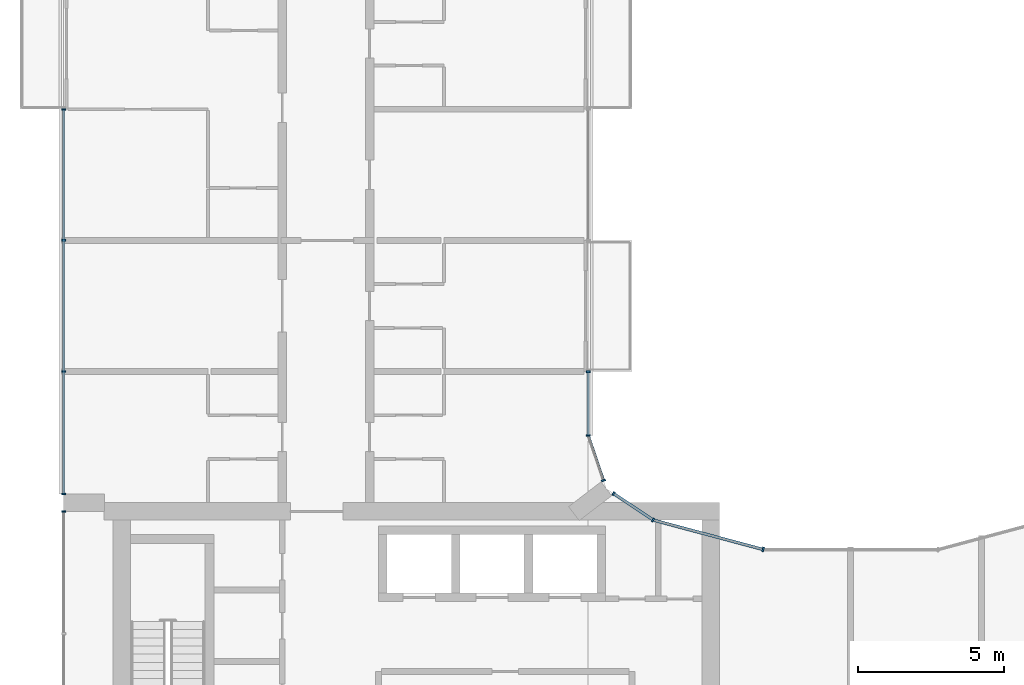
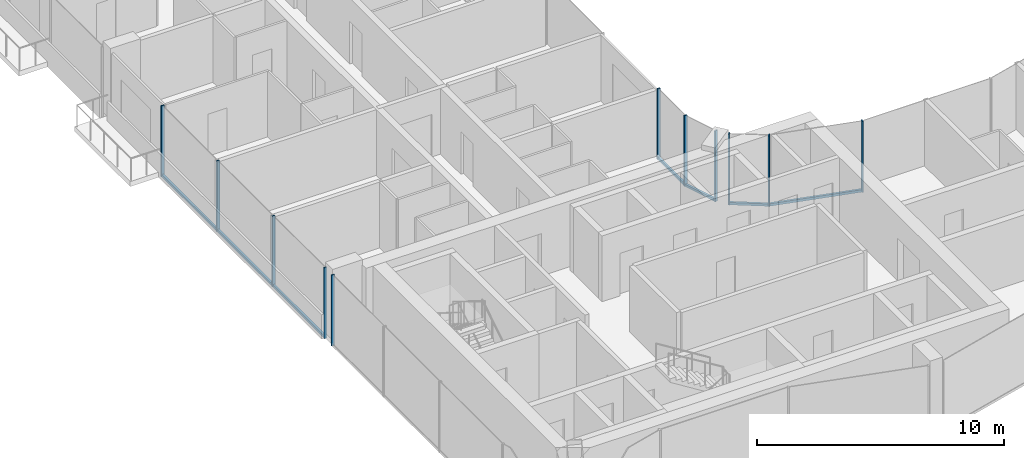
# One storey, part 4 of 15: 16 members, 6 elements without a shape of their own.
"""IFC4 building model written with IfcOpenShell, lengths in metres."""

from ifc_helpers import new_model, si_unit, direction, frame, origin, origin_2d, place, context, subcontext, project, spatial, rectangle, extrude, material, layer, layer_set, material_profile, profile_set, type_object, element, aggregate, save


model = new_model("IFC4")

# Units and contexts
model_context = context("Model", 3, precision=1e-05, world=origin(), true_north=direction((0.0, 1.0)))
body_context = subcontext(model_context, "Body", "Model", "MODEL_VIEW")
ifc_project = project(units=[si_unit("LENGTHUNIT", "METRE"), si_unit("AREAUNIT", "SQUARE_METRE"), si_unit("VOLUMEUNIT", "CUBIC_METRE"), si_unit("PLANEANGLEUNIT", "RADIAN"), si_unit("MASSUNIT", "GRAM", prefix="KILO")], contexts=[model_context])

# Site, building, storey
site_placement = place(None, origin())
site = spatial("IfcSite", under=ifc_project, at=site_placement, CompositionType="ELEMENT")
building_placement = place(site_placement, origin())
building = spatial("IfcBuilding", under=site, at=building_placement, Name="Plateau Cross Towers", CompositionType="ELEMENT")
storey_placement = place(building_placement, frame((0.0, 0.0, 174.39990234375)))
storey = spatial("IfcBuildingStorey", under=building, at=storey_placement, Name="L45", CompositionType="ELEMENT", Elevation=174.39990234375)

# Curtain wall, members
ifc_material_1 = material(Name="Dark low-iron glass", Category="glass")
ifc_layer_1 = layer(ifc_material_1, 0.239990234375)
ifc_layer_set_1 = layer_set([ifc_layer_1], Name="Dark low-iron glass")
curtain_wall_type_1 = type_object("IfcCurtainWallType", Name="Curtain wall flush unitised CW-B", PredefinedType="NOTDEFINED", material=ifc_layer_set_1)
curtain_wall_1_placement = place(storey_placement, origin())
curtain_wall_1 = element("IfcCurtainWall", 1, at=curtain_wall_1_placement, inside=storey, type_object=curtain_wall_type_1, Name="ENV/A/L45/A202_174", PredefinedType="NOTDEFINED")
ifc_material_2 = material(Name="Black anodised aluminium", Category="aluminium")
ifc_material_profile_1 = material_profile(ifc_material_2, rectangle(XDim=0.06005859375, YDim=0.139892578125, at=origin_2d()), Name="MULLION 60x140")
ifc_profile_set_1 = profile_set([ifc_material_profile_1], Name="Black anodised aluminium")
member_type_1 = type_object("IfcMemberType", Name="Mullion 60x140 flush unitised", PredefinedType="MULLION", material=ifc_profile_set_1)
member_1_placement = place(storey_placement, frame((20.223876953125, 17.404296875, -0.25), z_axis=(0.0, 0.0, 1.0), x_axis=(-0.831521253329, 0.555492938984, 0.0)))
member_1 = element("IfcMember", 2, at=member_1_placement, type_object=member_type_1, Name="CW-B mullion 1", PredefinedType="MULLION", context=body_context, shape_type="SweptSolid", body=[
    extrude(rectangle(XDim=0.06005859375, YDim=0.139892578125, at=origin_2d()), origin(), (0.0, 0.0, 1.0), 3.5),
])
member_2_placement = place(storey_placement, frame((18.86962890625, 18.30908203125, -0.25), z_axis=(0.0, 0.0, 1.0), x_axis=(-0.831521253329, 0.555492938984, 0.0)))
member_2 = element("IfcMember", 3, at=member_2_placement, type_object=member_type_1, Name="CW-B mullion 2", PredefinedType="MULLION", context=body_context, shape_type="SweptSolid", body=[
    extrude(rectangle(XDim=0.06005859375, YDim=0.139892578125, at=origin_2d()), origin(), (0.0, 0.0, 1.0), 3.5),
])

# Curtain wall, member
curtain_wall_2_placement = place(storey_placement, origin())
curtain_wall_2 = element("IfcCurtainWall", 4, at=curtain_wall_2_placement, inside=storey, type_object=curtain_wall_type_1, Name="ENV/A/L45/A185_188", PredefinedType="NOTDEFINED")
member_3_placement = place(storey_placement, frame((18.523681640625, 18.760009765625, -0.25), z_axis=(0.0, 0.0, 1.0), x_axis=(-0.321469161574, 0.94692004845, 0.0)))
member_3 = element("IfcMember", 5, at=member_3_placement, type_object=member_type_1, Name="CW-B mullion 1", PredefinedType="MULLION", context=body_context, shape_type="SweptSolid", body=[
    extrude(rectangle(XDim=0.06005859375, YDim=0.139892578125, at=origin_2d()), origin(), (0.0, 0.0, 1.0), 3.5),
])

# Curtain wall, members
curtain_wall_3_placement = place(storey_placement, origin())
curtain_wall_3 = element("IfcCurtainWall", 6, at=curtain_wall_3_placement, inside=storey, type_object=curtain_wall_type_1, Name="ENV/A/L45/A180_203", PredefinedType="NOTDEFINED")
member_4_placement = place(storey_placement, frame((18.0, 20.30224609375, -0.25), z_axis=(0.0, 0.0, 1.0), x_axis=(0.0, 1.0, 0.0)))
member_4 = element("IfcMember", 7, at=member_4_placement, type_object=member_type_1, Name="CW-B mullion 1", PredefinedType="MULLION", context=body_context, shape_type="SweptSolid", body=[
    extrude(rectangle(XDim=0.06005859375, YDim=0.139892578125, at=origin_2d()), origin(), (0.0, 0.0, 1.0), 3.5),
])
member_5_placement = place(storey_placement, frame((18.0, 22.489990234375, -0.25), z_axis=(0.0, 0.0, 1.0), x_axis=(0.0, 1.0, 0.0)))
member_5 = element("IfcMember", 8, at=member_5_placement, type_object=member_type_1, Name="CW-B mullion 2", PredefinedType="MULLION", context=body_context, shape_type="SweptSolid", body=[
    extrude(rectangle(XDim=0.06005859375, YDim=0.139892578125, at=origin_2d()), origin(), (0.0, 0.0, 1.0), 3.5),
])

curtain_wall_4_placement = place(storey_placement, origin())
curtain_wall_4 = element("IfcCurtainWall", 9, at=curtain_wall_4_placement, inside=storey, type_object=curtain_wall_type_1, Name="ENV/A/L45/A0_315", PredefinedType="NOTDEFINED")
member_6_placement = place(storey_placement, frame((0.0, 31.489990234375, -0.25), z_axis=(0.0, 0.0, 1.0), x_axis=(0.0, -1.0, 0.0)))
member_6 = element("IfcMember", 10, at=member_6_placement, type_object=member_type_1, Name="CW-B mullion 1", PredefinedType="MULLION", context=body_context, shape_type="SweptSolid", body=[
    extrude(rectangle(XDim=0.06005859375, YDim=0.139892578125, at=origin_2d()), origin(), (0.0, 0.0, 1.0), 3.5),
])
member_7_placement = place(storey_placement, frame((0.0, 27.0, -0.25), z_axis=(0.0, 0.0, 1.0), x_axis=(0.0, -1.0, 0.0)))
member_7 = element("IfcMember", 11, at=member_7_placement, type_object=member_type_1, Name="CW-B mullion 2", PredefinedType="MULLION", context=body_context, shape_type="SweptSolid", body=[
    extrude(rectangle(XDim=0.06005859375, YDim=0.139892578125, at=origin_2d()), origin(), (0.0, 0.0, 1.0), 3.5),
])
member_8_placement = place(storey_placement, frame((0.0, 22.5, -0.25), z_axis=(0.0, 0.0, 1.0), x_axis=(0.0, -1.0, 0.0)))
member_8 = element("IfcMember", 12, at=member_8_placement, type_object=member_type_1, Name="CW-B mullion 3", PredefinedType="MULLION", context=body_context, shape_type="SweptSolid", body=[
    extrude(rectangle(XDim=0.06005859375, YDim=0.139892578125, at=origin_2d()), origin(), (0.0, 0.0, 1.0), 3.5),
])
member_9_placement = place(storey_placement, frame((0.0, 18.300048828125, -0.25), z_axis=(0.0, 0.0, 1.0), x_axis=(0.0, -1.0, 0.0)))
member_9 = element("IfcMember", 13, at=member_9_placement, type_object=member_type_1, Name="CW-B mullion 4", PredefinedType="MULLION", context=body_context, shape_type="SweptSolid", body=[
    extrude(rectangle(XDim=0.06005859375, YDim=0.139892578125, at=origin_2d()), origin(), (0.0, 0.0, 1.0), 3.5),
])

# Curtain wall, member
curtain_wall_5_placement = place(storey_placement, origin())
curtain_wall_5 = element("IfcCurtainWall", 14, at=curtain_wall_5_placement, inside=storey, type_object=curtain_wall_type_1, Name="ENV/A/L45/A0_177", PredefinedType="NOTDEFINED")
member_10_placement = place(storey_placement, frame((0.0, 17.699951171875, -0.25), z_axis=(0.0, 0.0, 1.0), x_axis=(0.0, -1.0, 0.0)))
member_10 = element("IfcMember", 15, at=member_10_placement, type_object=member_type_1, Name="CW-B mullion 1", PredefinedType="MULLION", context=body_context, shape_type="SweptSolid", body=[
    extrude(rectangle(XDim=0.06005859375, YDim=0.139892578125, at=origin_2d()), origin(), (0.0, 0.0, 1.0), 3.5),
])
aggregate(curtain_wall_5, [member_10])

ifc_layer_2 = layer(ifc_material_1, 0.260009765625)
ifc_layer_set_2 = layer_set([ifc_layer_2], Name="Dark low-iron glass")
curtain_wall_type_2 = type_object("IfcCurtainWallType", Name="Curtain wall fluted unitised CW-A", PredefinedType="NOTDEFINED", material=ifc_layer_set_2)
curtain_wall_6_placement = place(storey_placement, origin())
curtain_wall_6 = element("IfcCurtainWall", 16, at=curtain_wall_6_placement, inside=storey, type_object=curtain_wall_type_2, Name="ENV/A/L45/A240_164", PredefinedType="NOTDEFINED")
ifc_material_profile_2 = material_profile(ifc_material_2, rectangle(XDim=0.06005859375, YDim=0.159912109375, at=origin_2d()), Name="MULLION 60x160")
ifc_profile_set_2 = profile_set([ifc_material_profile_2], Name="Black anodised aluminium")
member_type_2 = type_object("IfcMemberType", Name="Mullion 60x160 fluted unitised", PredefinedType="MULLION", material=ifc_profile_set_2)
member_11_placement = place(storey_placement, frame((24.0, 16.39306640625, -0.25), z_axis=(0.0, 0.0, 1.0), x_axis=(-0.965957995816, 0.258698956933, 0.0)))
member_11 = element("IfcMember", 17, at=member_11_placement, type_object=member_type_2, Name="CW-A mullion 1", PredefinedType="MULLION", context=body_context, shape_type="SweptSolid", body=[
    extrude(rectangle(XDim=0.06005859375, YDim=0.159912109375, at=origin_2d()), origin(), (0.0, 0.0, 1.0), 3.5),
])

# Member
ifc_material_profile_3 = material_profile(ifc_material_2, rectangle(XDim=0.10009765625, YDim=0.1201171875, at=origin_2d()), Name="TRANSOM 100x120")
ifc_profile_set_3 = profile_set([ifc_material_profile_3], Name="Black anodised aluminium")
member_type_3 = type_object("IfcMemberType", Name="Transom 100x120 flush unitised", PredefinedType="USERDEFINED", material=ifc_profile_set_3)
member_12_placement = place(storey_placement, frame((20.223876953125, 17.404296875, -0.18994140625), z_axis=(-0.831496402487, 0.555530136582, 0.0), x_axis=(-0.555530136582, -0.831496402487, 0.0)))
member_12 = element("IfcMember", 18, at=member_12_placement, type_object=member_type_3, Name="CW-B transom", ObjectType="TRANSOM", PredefinedType="USERDEFINED", context=body_context, shape_type="SweptSolid", body=[
    extrude(rectangle(XDim=0.10009765625, YDim=0.1201171875, at=origin_2d()), origin(), (0.0, 0.0, 1.0), 1.628662109375),
])

aggregate(curtain_wall_1, [member_1, member_2, member_12])

member_13_placement = place(storey_placement, frame((18.523681640625, 18.760009765625, -0.18994140625), z_axis=(-0.321529174838, 0.946899672472, 0.0), x_axis=(-0.946899672472, -0.321529174838, 0.0)))
member_13 = element("IfcMember", 19, at=member_13_placement, type_object=member_type_3, Name="CW-B transom", ObjectType="TRANSOM", PredefinedType="USERDEFINED", context=body_context, shape_type="SweptSolid", body=[
    extrude(rectangle(XDim=0.10009765625, YDim=0.1201171875, at=origin_2d()), origin(), (0.0, 0.0, 1.0), 1.628662109375),
])

aggregate(curtain_wall_2, [member_3, member_13])

member_14_placement = place(storey_placement, frame((18.0, 20.30224609375, -0.18994140625), z_axis=(0.0, 1.0, 0.0), x_axis=(-1.0, 0.0, 0.0)))
member_14 = element("IfcMember", 20, at=member_14_placement, type_object=member_type_3, Name="CW-B transom", ObjectType="TRANSOM", PredefinedType="USERDEFINED", context=body_context, shape_type="SweptSolid", body=[
    extrude(rectangle(XDim=0.10009765625, YDim=0.1201171875, at=origin_2d()), origin(), (0.0, 0.0, 1.0), 2.187744140625),
])

aggregate(curtain_wall_3, [member_4, member_5, member_14])

member_15_placement = place(storey_placement, frame((0.0, 31.489990234375, -0.18994140625), z_axis=(0.0, -1.0, 0.0), x_axis=(1.0, 0.0, 0.0)))
member_15 = element("IfcMember", 21, at=member_15_placement, type_object=member_type_3, Name="CW-B transom", ObjectType="TRANSOM", PredefinedType="USERDEFINED", context=body_context, shape_type="SweptSolid", body=[
    extrude(rectangle(XDim=0.10009765625, YDim=0.1201171875, at=origin_2d()), origin(), (0.0, 0.0, 1.0), 13.18994140625),
])

aggregate(curtain_wall_4, [member_6, member_7, member_8, member_9, member_15])

ifc_material_profile_4 = material_profile(ifc_material_2, rectangle(XDim=0.10009765625, YDim=0.1201171875, at=origin_2d()), Name="TRANSOM 100x120")
ifc_profile_set_4 = profile_set([ifc_material_profile_4], Name="Black anodised aluminium")
member_type_4 = type_object("IfcMemberType", Name="Transom 100x120 fluted unitised", PredefinedType="USERDEFINED", material=ifc_profile_set_4)
member_16_placement = place(storey_placement, frame((24.0, 16.39306640625, -0.18994140625), z_axis=(-0.965962822393, 0.25868093427, 0.0), x_axis=(-0.25868093427, -0.965962822393, 0.0)))
member_16 = element("IfcMember", 22, at=member_16_placement, type_object=member_type_4, Name="CW-A transom", ObjectType="TRANSOM", PredefinedType="USERDEFINED", context=body_context, shape_type="SweptSolid", body=[
    extrude(rectangle(XDim=0.10009765625, YDim=0.1201171875, at=origin_2d()), origin(), (0.0, 0.0, 1.0), 3.9091796875),
])

aggregate(curtain_wall_6, [member_11, member_16])

save(model, "model.ifc")
